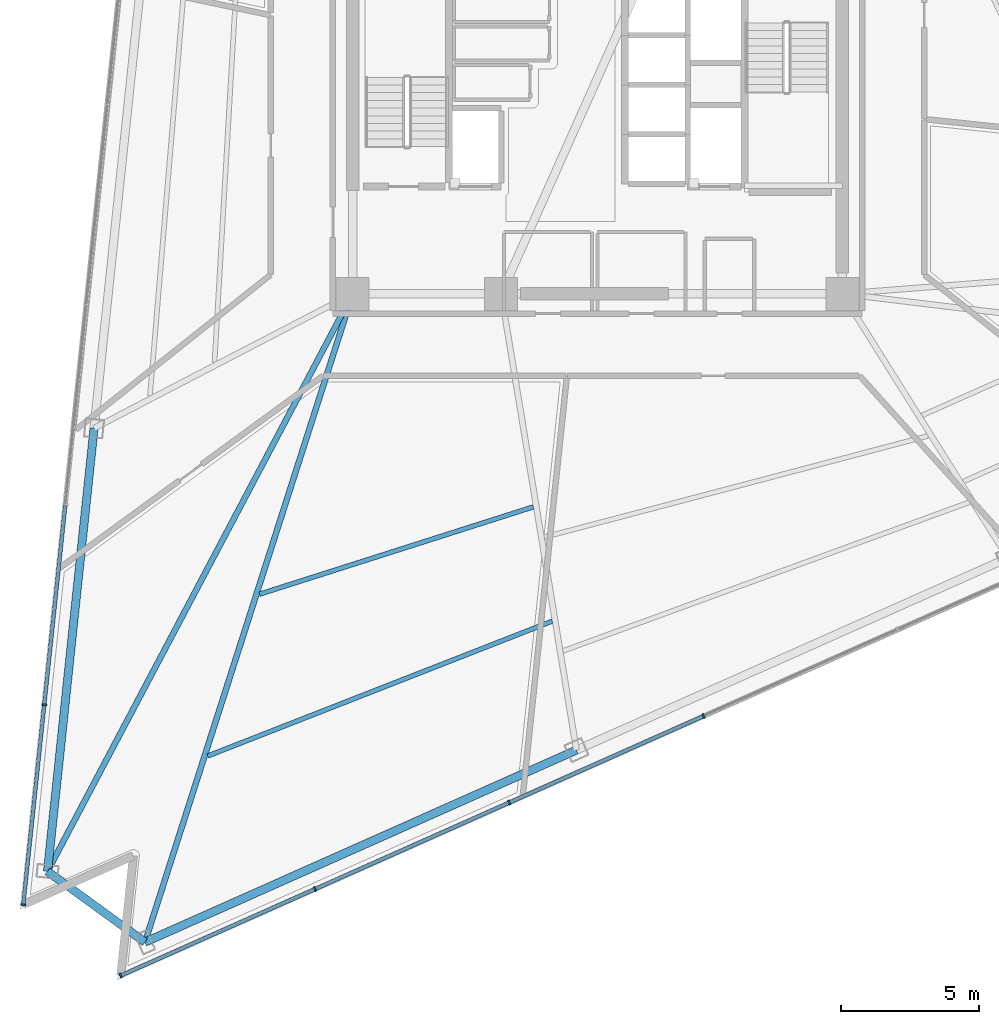
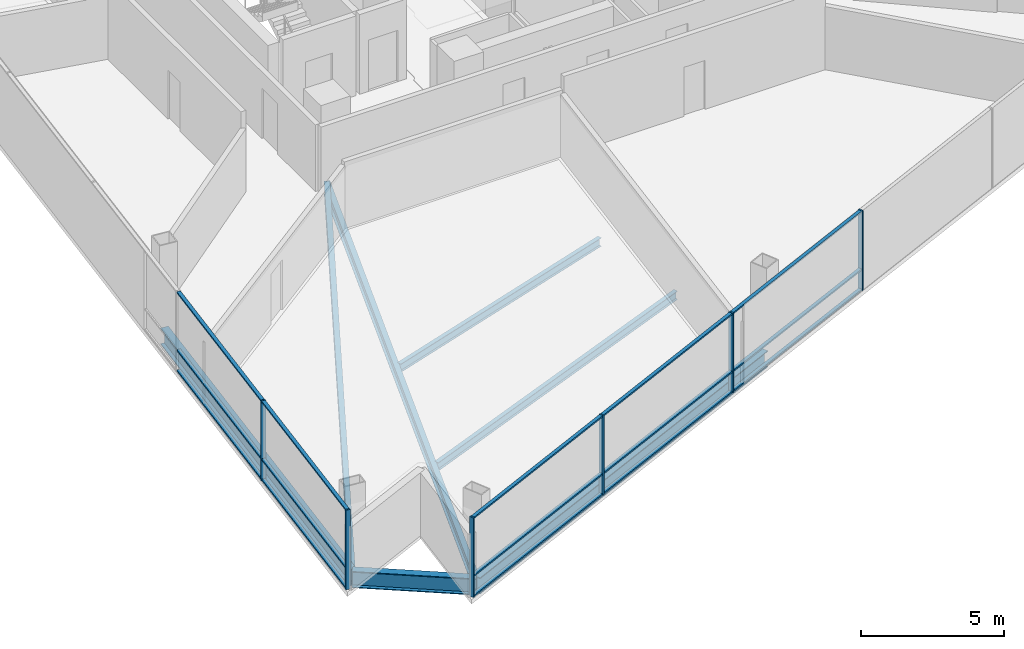
# One storey, part 2 of 19: 21 members, 7 beams, 2 elements without a shape of their own.
"""IFC4 building model written with IfcOpenShell, lengths in metres."""

from ifc_helpers import new_model, si_unit, direction, frame, origin, origin_2d, place, context, subcontext, project, spatial, rectangle, i_section, extrude, material, layer, layer_set, material_profile, profile_set, type_object, element, aggregate, save


model = new_model("IFC4")

# Units and contexts
model_context = context("Model", 3, precision=1e-05, world=origin(), true_north=direction((0.0, 1.0)))
body_context = subcontext(model_context, "Body", "Model", "MODEL_VIEW")
ifc_project = project(units=[si_unit("LENGTHUNIT", "METRE"), si_unit("AREAUNIT", "SQUARE_METRE"), si_unit("VOLUMEUNIT", "CUBIC_METRE"), si_unit("PLANEANGLEUNIT", "RADIAN"), si_unit("MASSUNIT", "GRAM", prefix="KILO")], contexts=[model_context])

# Site, building, storey
site_placement = place(None, origin())
site = spatial("IfcSite", under=ifc_project, at=site_placement, CompositionType="ELEMENT")
building_placement = place(site_placement, origin())
building = spatial("IfcBuilding", under=site, at=building_placement, Name="Tharavind Bronze Gate", CompositionType="ELEMENT")
storey_placement = place(building_placement, frame((0.0, 0.0, 126.85009765625)))
storey = spatial("IfcBuildingStorey", under=building, at=storey_placement, Name="L32", CompositionType="ELEMENT", Elevation=126.85009765625)

# Curtain wall, members
ifc_material_1 = material(Name="Anodised Bronze Aluminium", Category="aluminium")
ifc_layer = layer(ifc_material_1, 0.219970703125)
ifc_layer_set = layer_set([ifc_layer], Name="Anodised Bronze Aluminium")
curtain_wall_type = type_object("IfcCurtainWallType", Name="UNITISED CURTAIN WALL LOWER OFFICE", PredefinedType="USERDEFINED", material=ifc_layer_set)
curtain_wall_1_placement = place(storey_placement, origin())
curtain_wall_1 = element("IfcCurtainWall", 1, at=curtain_wall_1_placement, inside=storey, type_object=curtain_wall_type, Name="L32 unitised curtain wall lower office CW-L32-S1", ObjectType="UNITISED CURTAIN WALL", PredefinedType="USERDEFINED")
member_type_1 = type_object("IfcMemberType", Name="CURTAIN WALL BRONZE MULLION 65X180", PredefinedType="MULLION", material=ifc_material_1)
member_1_placement = place(storey_placement, frame((-20.1142578125, -22.5380859375, 0.0), z_axis=(0.0, 0.0, 1.0), x_axis=(-0.104526727499, -0.994522077803, 0.0)))
member_1 = element("IfcMember", 2, at=member_1_placement, type_object=member_type_1, Name="CW-L32-S1 mullion 7", PredefinedType="MULLION", context=body_context, shape_type="SweptSolid", body=[
    extrude(rectangle(XDim=0.06494140625, YDim=0.179931640625, at=origin_2d()), origin(), (0.0, 0.0, 1.0), 3.409912109375),
])
member_2_placement = place(storey_placement, frame((-20.878662109375, -29.811279296875, 0.0), z_axis=(0.0, 0.0, 1.0), x_axis=(-0.104526727499, -0.994522077803, 0.0)))
member_2 = element("IfcMember", 3, at=member_2_placement, type_object=member_type_1, Name="CW-L32-S1 mullion 8", PredefinedType="MULLION", context=body_context, shape_type="SweptSolid", body=[
    extrude(rectangle(XDim=0.06494140625, YDim=0.179931640625, at=origin_2d()), origin(), (0.0, 0.0, 1.0), 3.409912109375),
])

curtain_wall_2_placement = place(storey_placement, origin())
curtain_wall_2 = element("IfcCurtainWall", 4, at=curtain_wall_2_placement, inside=storey, type_object=curtain_wall_type, Name="L32 unitised curtain wall lower office CW-L32-S2", ObjectType="UNITISED CURTAIN WALL", PredefinedType="USERDEFINED")
member_3_placement = place(storey_placement, frame((-17.335205078125, -32.3857421875, 0.0), z_axis=(0.0, 0.0, 1.0), x_axis=(0.913545457643, 0.406736643076, 0.0)))
member_3 = element("IfcMember", 5, at=member_3_placement, type_object=member_type_1, Name="CW-L32-S2 mullion 1", PredefinedType="MULLION", context=body_context, shape_type="SweptSolid", body=[
    extrude(rectangle(XDim=0.06494140625, YDim=0.179931640625, at=origin_2d()), origin(), (0.0, 0.0, 1.0), 3.409912109375),
])
member_4_placement = place(storey_placement, frame((-10.273193359375, -29.241455078125, 0.0), z_axis=(0.0, 0.0, 1.0), x_axis=(0.913545457643, 0.406736643076, 0.0)))
member_4 = element("IfcMember", 6, at=member_4_placement, type_object=member_type_1, Name="CW-L32-S2 mullion 2", PredefinedType="MULLION", context=body_context, shape_type="SweptSolid", body=[
    extrude(rectangle(XDim=0.06494140625, YDim=0.179931640625, at=origin_2d()), origin(), (0.0, 0.0, 1.0), 3.409912109375),
])
member_5_placement = place(storey_placement, frame((-3.2109375, -26.097412109375, 0.0), z_axis=(0.0, 0.0, 1.0), x_axis=(0.913545457643, 0.406736643076, 0.0)))
member_5 = element("IfcMember", 7, at=member_5_placement, type_object=member_type_1, Name="CW-L32-S2 mullion 3", PredefinedType="MULLION", context=body_context, shape_type="SweptSolid", body=[
    extrude(rectangle(XDim=0.06494140625, YDim=0.179931640625, at=origin_2d()), origin(), (0.0, 0.0, 1.0), 3.409912109375),
])
member_6_placement = place(storey_placement, frame((3.851318359375, -22.952880859375, 0.0), z_axis=(0.0, 0.0, 1.0), x_axis=(0.913545457643, 0.406736643076, 0.0)))
member_6 = element("IfcMember", 8, at=member_6_placement, type_object=member_type_1, Name="CW-L32-S2 mullion 4", PredefinedType="MULLION", context=body_context, shape_type="SweptSolid", body=[
    extrude(rectangle(XDim=0.06494140625, YDim=0.179931640625, at=origin_2d()), origin(), (0.0, 0.0, 1.0), 3.409912109375),
])

# Member
member_type_2 = type_object("IfcMemberType", Name="CURTAIN WALL BRONZE TRANSOM 65X140", PredefinedType="USERDEFINED", material=ifc_material_1)
member_7_placement = place(storey_placement, frame((-19.73193359375, -18.9013671875, 0.0), z_axis=(0.0, 0.0, 1.0), x_axis=(-0.104526727499, -0.994522077803, 0.0)))
member_7 = element("IfcMember", 9, at=member_7_placement, type_object=member_type_2, Name="CW-L32-S1 transom TB6", ObjectType="TRANSOM", PredefinedType="USERDEFINED", context=body_context, shape_type="SweptSolid", body=[
    extrude(rectangle(XDim=7.26025390625, YDim=0.139892578125, at=origin_2d()), origin(), (0.0, 0.0, 1.0), 0.06494140625),
])

member_8_placement = place(storey_placement, frame((-19.73193359375, -18.9013671875, 0.867431640625), z_axis=(0.0, 0.0, 1.0), x_axis=(-0.104526727499, -0.994522077803, 0.0)))
member_8 = element("IfcMember", 10, at=member_8_placement, type_object=member_type_2, Name="CW-L32-S1 transom TS6", ObjectType="TRANSOM", PredefinedType="USERDEFINED", context=body_context, shape_type="SweptSolid", body=[
    extrude(rectangle(XDim=7.26025390625, YDim=0.139892578125, at=origin_2d()), origin(), (0.0, 0.0, 1.0), 0.06494140625),
])

member_9_placement = place(storey_placement, frame((-19.73193359375, -18.9013671875, 3.344970703125), z_axis=(0.0, 0.0, 1.0), x_axis=(-0.104526727499, -0.994522077803, 0.0)))
member_9 = element("IfcMember", 11, at=member_9_placement, type_object=member_type_2, Name="CW-L32-S1 transom TT6", ObjectType="TRANSOM", PredefinedType="USERDEFINED", context=body_context, shape_type="SweptSolid", body=[
    extrude(rectangle(XDim=7.26025390625, YDim=0.139892578125, at=origin_2d()), origin(), (0.0, 0.0, 1.0), 0.06494140625),
])

member_10_placement = place(storey_placement, frame((-20.49658203125, -26.1748046875, 0.0), z_axis=(0.0, 0.0, 1.0), x_axis=(-0.104526727499, -0.994522077803, 0.0)))
member_10 = element("IfcMember", 12, at=member_10_placement, type_object=member_type_2, Name="CW-L32-S1 transom TB7", ObjectType="TRANSOM", PredefinedType="USERDEFINED", context=body_context, shape_type="SweptSolid", body=[
    extrude(rectangle(XDim=7.26025390625, YDim=0.139892578125, at=origin_2d()), origin(), (0.0, 0.0, 1.0), 0.06494140625),
])

member_11_placement = place(storey_placement, frame((-20.49658203125, -26.1748046875, 0.867431640625), z_axis=(0.0, 0.0, 1.0), x_axis=(-0.104526727499, -0.994522077803, 0.0)))
member_11 = element("IfcMember", 13, at=member_11_placement, type_object=member_type_2, Name="CW-L32-S1 transom TS7", ObjectType="TRANSOM", PredefinedType="USERDEFINED", context=body_context, shape_type="SweptSolid", body=[
    extrude(rectangle(XDim=7.26025390625, YDim=0.139892578125, at=origin_2d()), origin(), (0.0, 0.0, 1.0), 0.06494140625),
])

member_12_placement = place(storey_placement, frame((-20.49658203125, -26.1748046875, 3.344970703125), z_axis=(0.0, 0.0, 1.0), x_axis=(-0.104526727499, -0.994522077803, 0.0)))
member_12 = element("IfcMember", 14, at=member_12_placement, type_object=member_type_2, Name="CW-L32-S1 transom TT7", ObjectType="TRANSOM", PredefinedType="USERDEFINED", context=body_context, shape_type="SweptSolid", body=[
    extrude(rectangle(XDim=7.26025390625, YDim=0.139892578125, at=origin_2d()), origin(), (0.0, 0.0, 1.0), 0.06494140625),
])

aggregate(curtain_wall_1, [member_1, member_2, member_7, member_8, member_9, member_10, member_11, member_12])

member_13_placement = place(storey_placement, frame((-13.80419921875, -30.813720703125, 0.0), z_axis=(0.0, 0.0, 1.0), x_axis=(0.913545457643, 0.406736643076, 0.0)))
member_13 = element("IfcMember", 15, at=member_13_placement, type_object=member_type_2, Name="CW-L32-S2 transom TB1", ObjectType="TRANSOM", PredefinedType="USERDEFINED", context=body_context, shape_type="SweptSolid", body=[
    extrude(rectangle(XDim=7.677490234375, YDim=0.139892578125, at=origin_2d()), origin(), (0.0, 0.0, 1.0), 0.06494140625),
])

member_14_placement = place(storey_placement, frame((-13.80419921875, -30.813720703125, 0.867431640625), z_axis=(0.0, 0.0, 1.0), x_axis=(0.913545457643, 0.406736643076, 0.0)))
member_14 = element("IfcMember", 16, at=member_14_placement, type_object=member_type_2, Name="CW-L32-S2 transom TS1", ObjectType="TRANSOM", PredefinedType="USERDEFINED", context=body_context, shape_type="SweptSolid", body=[
    extrude(rectangle(XDim=7.677490234375, YDim=0.139892578125, at=origin_2d()), origin(), (0.0, 0.0, 1.0), 0.06494140625),
])

member_15_placement = place(storey_placement, frame((-13.80419921875, -30.813720703125, 3.344970703125), z_axis=(0.0, 0.0, 1.0), x_axis=(0.913545457643, 0.406736643076, 0.0)))
member_15 = element("IfcMember", 17, at=member_15_placement, type_object=member_type_2, Name="CW-L32-S2 transom TT1", ObjectType="TRANSOM", PredefinedType="USERDEFINED", context=body_context, shape_type="SweptSolid", body=[
    extrude(rectangle(XDim=7.677490234375, YDim=0.139892578125, at=origin_2d()), origin(), (0.0, 0.0, 1.0), 0.06494140625),
])

member_16_placement = place(storey_placement, frame((-6.741943359375, -27.66943359375, 0.0), z_axis=(0.0, 0.0, 1.0), x_axis=(0.913545457643, 0.406736643076, 0.0)))
member_16 = element("IfcMember", 18, at=member_16_placement, type_object=member_type_2, Name="CW-L32-S2 transom TB2", ObjectType="TRANSOM", PredefinedType="USERDEFINED", context=body_context, shape_type="SweptSolid", body=[
    extrude(rectangle(XDim=7.677490234375, YDim=0.139892578125, at=origin_2d()), origin(), (0.0, 0.0, 1.0), 0.06494140625),
])

member_17_placement = place(storey_placement, frame((-6.741943359375, -27.66943359375, 0.867431640625), z_axis=(0.0, 0.0, 1.0), x_axis=(0.913545457643, 0.406736643076, 0.0)))
member_17 = element("IfcMember", 19, at=member_17_placement, type_object=member_type_2, Name="CW-L32-S2 transom TS2", ObjectType="TRANSOM", PredefinedType="USERDEFINED", context=body_context, shape_type="SweptSolid", body=[
    extrude(rectangle(XDim=7.677490234375, YDim=0.139892578125, at=origin_2d()), origin(), (0.0, 0.0, 1.0), 0.06494140625),
])

member_18_placement = place(storey_placement, frame((-6.741943359375, -27.66943359375, 3.344970703125), z_axis=(0.0, 0.0, 1.0), x_axis=(0.913545457643, 0.406736643076, 0.0)))
member_18 = element("IfcMember", 20, at=member_18_placement, type_object=member_type_2, Name="CW-L32-S2 transom TT2", ObjectType="TRANSOM", PredefinedType="USERDEFINED", context=body_context, shape_type="SweptSolid", body=[
    extrude(rectangle(XDim=7.677490234375, YDim=0.139892578125, at=origin_2d()), origin(), (0.0, 0.0, 1.0), 0.06494140625),
])

member_19_placement = place(storey_placement, frame((0.3203125, -24.525146484375, 0.0), z_axis=(0.0, 0.0, 1.0), x_axis=(0.913545457643, 0.406736643076, 0.0)))
member_19 = element("IfcMember", 21, at=member_19_placement, type_object=member_type_2, Name="CW-L32-S2 transom TB3", ObjectType="TRANSOM", PredefinedType="USERDEFINED", context=body_context, shape_type="SweptSolid", body=[
    extrude(rectangle(XDim=7.677490234375, YDim=0.139892578125, at=origin_2d()), origin(), (0.0, 0.0, 1.0), 0.06494140625),
])

member_20_placement = place(storey_placement, frame((0.3203125, -24.525146484375, 0.867431640625), z_axis=(0.0, 0.0, 1.0), x_axis=(0.913545457643, 0.406736643076, 0.0)))
member_20 = element("IfcMember", 22, at=member_20_placement, type_object=member_type_2, Name="CW-L32-S2 transom TS3", ObjectType="TRANSOM", PredefinedType="USERDEFINED", context=body_context, shape_type="SweptSolid", body=[
    extrude(rectangle(XDim=7.677490234375, YDim=0.139892578125, at=origin_2d()), origin(), (0.0, 0.0, 1.0), 0.06494140625),
])

member_21_placement = place(storey_placement, frame((0.3203125, -24.525146484375, 3.344970703125), z_axis=(0.0, 0.0, 1.0), x_axis=(0.913545457643, 0.406736643076, 0.0)))
member_21 = element("IfcMember", 23, at=member_21_placement, type_object=member_type_2, Name="CW-L32-S2 transom TT3", ObjectType="TRANSOM", PredefinedType="USERDEFINED", context=body_context, shape_type="SweptSolid", body=[
    extrude(rectangle(XDim=7.677490234375, YDim=0.139892578125, at=origin_2d()), origin(), (0.0, 0.0, 1.0), 0.06494140625),
])

aggregate(curtain_wall_2, [member_3, member_4, member_5, member_6, member_13, member_14, member_15, member_16, member_17, member_18, member_19, member_20, member_21])

# Beams
ifc_material_2 = material(Name="Steel S355", Category="steel")
ifc_material_profile_1 = material_profile(ifc_material_2, i_section(OverallWidth=0.2099609375, OverallDepth=0.550048828125, WebThickness=0.010986328125, FlangeThickness=0.01708984375, at=origin_2d()), Name="IPE550")
ifc_profile_set_1 = profile_set([ifc_material_profile_1], Name="Steel S355")
beam_type_1 = type_object("IfcBeamType", Name="PRIMARY GIRDER IPE550", PredefinedType="USERDEFINED", material=ifc_profile_set_1)
beam_1_placement = place(storey_placement, frame((-19.9970703125, -28.597900390625, -0.465087890625), z_axis=(0.467252343424, 0.884124000107, 0.0), x_axis=(-0.884124000107, 0.467252343424, 0.0)))
element("IfcBeam", 24, at=beam_1_placement, inside=storey, type_object=beam_type_1, Name="L32 primary girder ipe550 BM-L32-RAD04", ObjectType="GIRDER", PredefinedType="USERDEFINED", context=body_context, shape_type="SweptSolid", body=[
    extrude(i_section(OverallWidth=0.2099609375, OverallDepth=0.550048828125, WebThickness=0.010986328125, FlangeThickness=0.01708984375, at=origin_2d()), origin(), (0.0, 0.0, 1.0), 23.749755859375),
])
beam_2_placement = place(storey_placement, frame((-16.45361328125, -31.17236328125, -0.465087890625), z_axis=(0.305163640021, 0.952299927969, 0.0), x_axis=(-0.952299927969, 0.305163640021, 0.0)))
element("IfcBeam", 25, at=beam_2_placement, inside=storey, type_object=beam_type_1, Name="L32 primary girder ipe550 BM-L32-RAD05", ObjectType="GIRDER", PredefinedType="USERDEFINED", context=body_context, shape_type="SweptSolid", body=[
    extrude(i_section(OverallWidth=0.2099609375, OverallDepth=0.550048828125, WebThickness=0.010986328125, FlangeThickness=0.01708984375, at=origin_2d()), origin(), (0.0, 0.0, 1.0), 24.7529296875),
])
ifc_material_profile_2 = material_profile(ifc_material_2, i_section(OverallWidth=0.300048828125, OverallDepth=0.699951171875, WebThickness=0.01708984375, FlangeThickness=0.031982421875, at=origin_2d()), Name="HE700B")
ifc_profile_set_2 = profile_set([ifc_material_profile_2], Name="Steel S355")
beam_type_2 = type_object("IfcBeamType", Name="RING GIRDER HE700B", PredefinedType="USERDEFINED", material=ifc_profile_set_2)
beam_3_placement = place(storey_placement, frame((-18.303955078125, -12.488037109375, -0.5400390625), z_axis=(-0.104522380175, -0.994522534708, 0.0), x_axis=(0.994522534708, -0.104522380175, 0.0)))
element("IfcBeam", 26, at=beam_3_placement, inside=storey, type_object=beam_type_2, Name="L32 ring girder he700b BM-L32-PRG03", ObjectType="GIRDER", PredefinedType="USERDEFINED", context=body_context, shape_type="SweptSolid", body=[
    extrude(i_section(OverallWidth=0.300048828125, OverallDepth=0.699951171875, WebThickness=0.01708984375, FlangeThickness=0.031982421875, at=origin_2d()), origin(), (0.0, 0.0, 1.0), 16.198486328125),
])
beam_4_placement = place(storey_placement, frame((-19.9970703125, -28.597900390625, -0.5400390625), z_axis=(0.809018008275, -0.587783856777, 0.0), x_axis=(0.587783856777, 0.809018008275, 0.0)))
element("IfcBeam", 27, at=beam_4_placement, inside=storey, type_object=beam_type_2, Name="L32 ring girder he700b BM-L32-PRG04", ObjectType="GIRDER", PredefinedType="USERDEFINED", context=body_context, shape_type="SweptSolid", body=[
    extrude(i_section(OverallWidth=0.300048828125, OverallDepth=0.699951171875, WebThickness=0.01708984375, FlangeThickness=0.031982421875, at=origin_2d()), origin(), (0.0, 0.0, 1.0), 4.3798828125),
])
beam_5_placement = place(storey_placement, frame((-16.45361328125, -31.17236328125, -0.5400390625), z_axis=(0.913546351362, 0.406734635744, 0.0), x_axis=(-0.406734635744, 0.913546351362, 0.0)))
element("IfcBeam", 28, at=beam_5_placement, inside=storey, type_object=beam_type_2, Name="L32 ring girder he700b BM-L32-PRG05", ObjectType="GIRDER", PredefinedType="USERDEFINED", context=body_context, shape_type="SweptSolid", body=[
    extrude(i_section(OverallWidth=0.300048828125, OverallDepth=0.699951171875, WebThickness=0.01708984375, FlangeThickness=0.031982421875, at=origin_2d()), origin(), (0.0, 0.0, 1.0), 17.171875),
])
ifc_material_profile_3 = material_profile(ifc_material_2, i_section(OverallWidth=0.169921875, OverallDepth=0.360107421875, WebThickness=0.008056640625, FlangeThickness=0.0126953125, at=origin_2d()), Name="IPE360")
ifc_profile_set_3 = profile_set([ifc_material_profile_3], Name="Steel S355")
beam_type_3 = type_object("IfcBeamType", Name="SECONDARY FLOOR JOIST IPE360", PredefinedType="JOIST", material=ifc_profile_set_3)
beam_6_placement = place(storey_placement, frame((-12.285888671875, -18.520751953125, -0.3701171875), z_axis=(0.952718678144, 0.303853781144, 0.0), x_axis=(-0.303853781144, 0.952718678144, 0.0)))
element("IfcBeam", 29, at=beam_6_placement, inside=storey, type_object=beam_type_3, Name="L32 secondary floor joist ipe360 BM-L32-JSTA05", PredefinedType="JOIST", context=body_context, shape_type="SweptSolid", body=[
    extrude(i_section(OverallWidth=0.169921875, OverallDepth=0.360107421875, WebThickness=0.008056640625, FlangeThickness=0.0126953125, at=origin_2d()), origin(), (0.0, 0.0, 1.0), 10.446044921875),
])
beam_7_placement = place(storey_placement, frame((-14.1708984375, -24.4033203125, -0.3701171875), z_axis=(0.931178744784, 0.364562951028, 0.0), x_axis=(-0.364562951028, 0.931178744784, 0.0)))
element("IfcBeam", 30, at=beam_7_placement, inside=storey, type_object=beam_type_3, Name="L32 secondary floor joist ipe360 BM-L32-JSTB05", PredefinedType="JOIST", context=body_context, shape_type="SweptSolid", body=[
    extrude(i_section(OverallWidth=0.169921875, OverallDepth=0.360107421875, WebThickness=0.008056640625, FlangeThickness=0.0126953125, at=origin_2d()), origin(), (0.0, 0.0, 1.0), 13.447265625),
])

save(model, "model.ifc")
